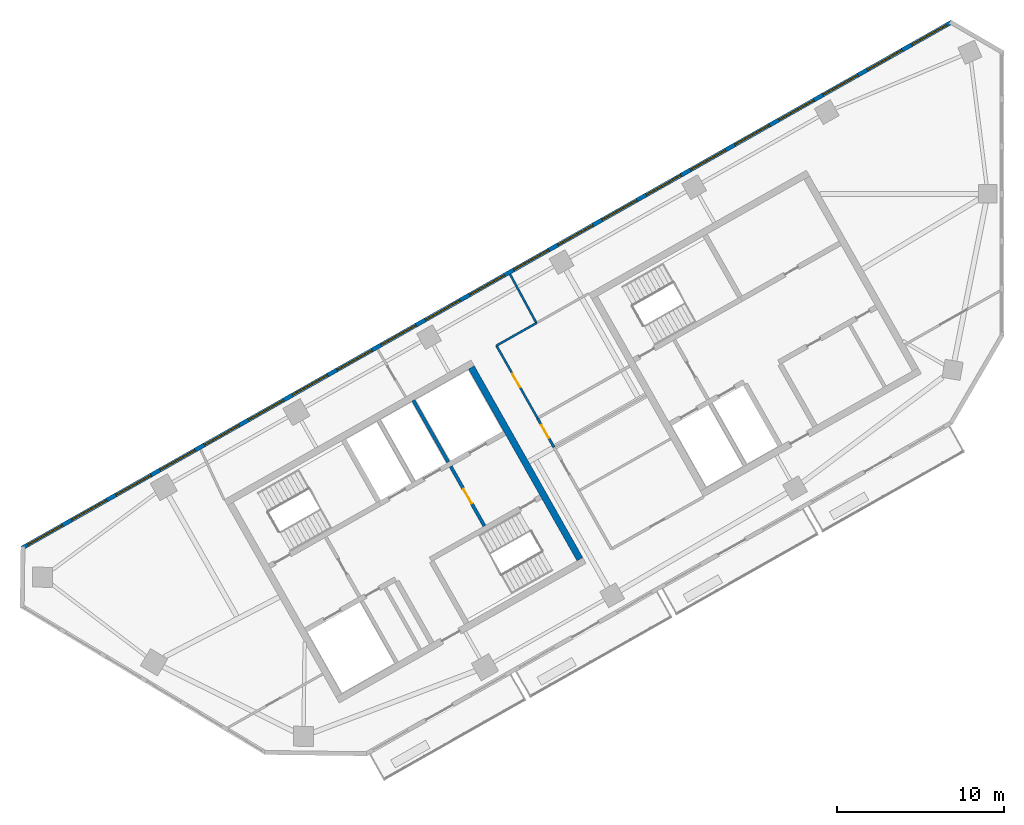
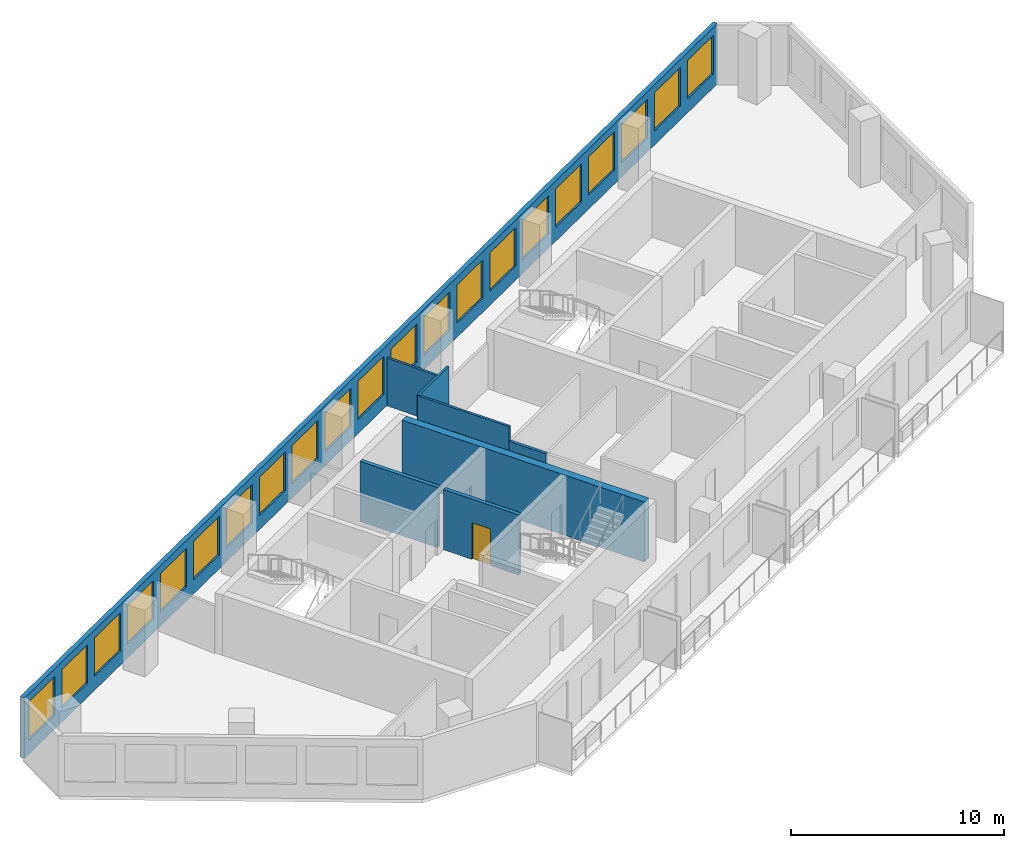
# One storey, part 3 of 7: 21 windows, 8 walls, 3 doors, 24 openings.
"""IFC4 building model written with IfcOpenShell, lengths in metres."""

from ifc_helpers import new_model, si_unit, direction, frame, frame_2d, origin, place, context, subcontext, project, spatial, rectangle, extrude, material, layer, layer_set, type_object, element, fill, save


model = new_model("IFC4")

# Units and contexts
model_context = context("Model", 3, precision=1e-05, world=origin(), true_north=direction((0.0, 1.0)))
body_context = subcontext(model_context, "Body", "Model", "MODEL_VIEW")
ifc_project = project(units=[si_unit("LENGTHUNIT", "METRE"), si_unit("AREAUNIT", "SQUARE_METRE"), si_unit("VOLUMEUNIT", "CUBIC_METRE"), si_unit("PLANEANGLEUNIT", "RADIAN"), si_unit("MASSUNIT", "GRAM", prefix="KILO")], contexts=[model_context])

# Site, building, storey
site_placement = place(None, origin())
site = spatial("IfcSite", under=ifc_project, at=site_placement, CompositionType="ELEMENT")
building_placement = place(site_placement, origin())
building = spatial("IfcBuilding", under=site, at=building_placement, Name="Binnacle Exchange Tower", CompositionType="ELEMENT")
storey_placement = place(building_placement, frame((0.0, 0.0, 281.699951171875)))
storey = spatial("IfcBuildingStorey", under=building, at=storey_placement, Name="L63", CompositionType="ELEMENT", Elevation=281.699951171875)

# Wall
ifc_material_1 = material(Name="Concrete C70/85", Category="concrete")
ifc_layer_1 = layer(ifc_material_1, 0.39990234375)
ifc_layer_set_1 = layer_set([ifc_layer_1], Name="Core wall - outer 400")
wall_type_1 = type_object("IfcWallType", Name="Core wall - outer 400", PredefinedType="SOLIDWALL", material=ifc_layer_set_1)
wall_1_placement = place(storey_placement, frame((-31.78955078125, 49.597412109375, 0.0), z_axis=(0.0, 0.0, 1.0), x_axis=(0.492421663121, -0.870356769198, 0.0)))
element("IfcWall", 1, at=wall_1_placement, inside=storey, type_object=wall_type_1, Name="Core wall CRWA22", PredefinedType="SOLIDWALL", context=body_context, shape_type="SweptSolid", body=[
    extrude(rectangle(XDim=13.199951171875, YDim=0.39990234375, at=frame_2d((6.60009765625, 0.0))), origin(), (0.0, 0.0, 1.0), 3.449951171875),
])

# Wall, openings, windows
ifc_material_2 = material(Name="Bronze aluminium cladding", Category="aluminium")
ifc_layer_2 = layer(ifc_material_2, 0.25)
ifc_layer_set_2 = layer_set([ifc_layer_2], Name="External wall - window wall 250")
wall_type_2 = type_object("IfcWallType", Name="External wall - window wall 250", PredefinedType="STANDARD", material=ifc_layer_set_2)
wall_2_placement = place(storey_placement, frame((-58.732177734375, 38.770751953125, 0.0), z_axis=(0.0, 0.0, 1.0), x_axis=(0.870355615581, 0.492423702137, 0.0)))
wall_2 = element("IfcWall", 2, at=wall_2_placement, inside=storey, type_object=wall_type_2, Name="External wall EW-H03 L63", PredefinedType="STANDARD", context=body_context, shape_type="SweptSolid", body=[
    extrude(rectangle(XDim=64.052490234375, YDim=0.25, at=frame_2d((32.0263671875, 0.0))), origin(), (0.0, 0.0, 1.0), 3.449951171875),
])
opening_1_placement = place(wall_2_placement, frame((61.25927734375, 0.0, 0.800048828125)))
opening_1 = element("IfcOpeningElement", 3, at=opening_1_placement, cuts=wall_2, Name="Opening WR2", PredefinedType="OPENING", context=body_context, shape_type="SweptSolid", body=[
    extrude(rectangle(XDim=2.39990234375, YDim=2.199951171875, at=frame_2d((1.199951171875, 1.10009765625))), frame((0.0, 0.135009765625, 0.0), z_axis=(0.0, -1.0, 0.0), x_axis=(1.0, 0.0, 0.0)), (0.0, 0.0, 1.0), 0.27001953125),
])
opening_2_placement = place(wall_2_placement, frame((58.2158203125, 0.0, 0.800048828125)))
opening_2 = element("IfcOpeningElement", 4, at=opening_2_placement, cuts=wall_2, Name="Opening WR2", PredefinedType="OPENING", context=body_context, shape_type="SweptSolid", body=[
    extrude(rectangle(XDim=2.39990234375, YDim=2.199951171875, at=frame_2d((1.199951171875, 1.10009765625))), frame((0.0, 0.135009765625, 0.0), z_axis=(0.0, -1.0, 0.0), x_axis=(1.0, 0.0, 0.0)), (0.0, 0.0, 1.0), 0.27001953125),
])
opening_3_placement = place(wall_2_placement, frame((55.172607421875, 0.0, 0.800048828125)))
opening_3 = element("IfcOpeningElement", 5, at=opening_3_placement, cuts=wall_2, Name="Opening WR2", PredefinedType="OPENING", context=body_context, shape_type="SweptSolid", body=[
    extrude(rectangle(XDim=2.39990234375, YDim=2.199951171875, at=frame_2d((1.199951171875, 1.10009765625))), frame((0.0, 0.135009765625, 0.0), z_axis=(0.0, -1.0, 0.0), x_axis=(1.0, 0.0, 0.0)), (0.0, 0.0, 1.0), 0.27001953125),
])
opening_4_placement = place(wall_2_placement, frame((52.12939453125, 0.0, 0.800048828125)))
opening_4 = element("IfcOpeningElement", 6, at=opening_4_placement, cuts=wall_2, Name="Opening WR2", PredefinedType="OPENING", context=body_context, shape_type="SweptSolid", body=[
    extrude(rectangle(XDim=2.39990234375, YDim=2.199951171875, at=frame_2d((1.199951171875, 1.10009765625))), frame((0.0, 0.135009765625, 0.0), z_axis=(0.0, -1.0, 0.0), x_axis=(1.0, 0.0, 0.0)), (0.0, 0.0, 1.0), 0.27001953125),
])
opening_5_placement = place(wall_2_placement, frame((49.0859375, 0.0, 0.800048828125)))
opening_5 = element("IfcOpeningElement", 7, at=opening_5_placement, cuts=wall_2, Name="Opening WR2", PredefinedType="OPENING", context=body_context, shape_type="SweptSolid", body=[
    extrude(rectangle(XDim=2.39990234375, YDim=2.199951171875, at=frame_2d((1.199951171875, 1.10009765625))), frame((0.0, 0.135009765625, 0.0), z_axis=(0.0, -1.0, 0.0), x_axis=(1.0, 0.0, 0.0)), (0.0, 0.0, 1.0), 0.27001953125),
])
opening_6_placement = place(wall_2_placement, frame((46.042724609375, 0.0, 0.800048828125)))
opening_6 = element("IfcOpeningElement", 8, at=opening_6_placement, cuts=wall_2, Name="Opening WR2", PredefinedType="OPENING", context=body_context, shape_type="SweptSolid", body=[
    extrude(rectangle(XDim=2.39990234375, YDim=2.199951171875, at=frame_2d((1.199951171875, 1.10009765625))), frame((0.0, 0.135009765625, 0.0), z_axis=(0.0, -1.0, 0.0), x_axis=(1.0, 0.0, 0.0)), (0.0, 0.0, 1.0), 0.27001953125),
])
opening_7_placement = place(wall_2_placement, frame((42.99951171875, 0.0, 0.800048828125)))
opening_7 = element("IfcOpeningElement", 9, at=opening_7_placement, cuts=wall_2, Name="Opening WR2", PredefinedType="OPENING", context=body_context, shape_type="SweptSolid", body=[
    extrude(rectangle(XDim=2.39990234375, YDim=2.199951171875, at=frame_2d((1.199951171875, 1.10009765625))), frame((0.0, 0.135009765625, 0.0), z_axis=(0.0, -1.0, 0.0), x_axis=(1.0, 0.0, 0.0)), (0.0, 0.0, 1.0), 0.27001953125),
])
opening_8_placement = place(wall_2_placement, frame((39.956298828125, 0.0, 0.800048828125)))
opening_8 = element("IfcOpeningElement", 10, at=opening_8_placement, cuts=wall_2, Name="Opening WR2", PredefinedType="OPENING", context=body_context, shape_type="SweptSolid", body=[
    extrude(rectangle(XDim=2.39990234375, YDim=2.199951171875, at=frame_2d((1.199951171875, 1.10009765625))), frame((0.0, 0.135009765625, 0.0), z_axis=(0.0, -1.0, 0.0), x_axis=(1.0, 0.0, 0.0)), (0.0, 0.0, 1.0), 0.27001953125),
])
opening_9_placement = place(wall_2_placement, frame((36.912841796875, 0.0, 0.800048828125)))
opening_9 = element("IfcOpeningElement", 11, at=opening_9_placement, cuts=wall_2, Name="Opening WR2", PredefinedType="OPENING", context=body_context, shape_type="SweptSolid", body=[
    extrude(rectangle(XDim=2.39990234375, YDim=2.199951171875, at=frame_2d((1.199951171875, 1.10009765625))), frame((0.0, 0.135009765625, 0.0), z_axis=(0.0, -1.0, 0.0), x_axis=(1.0, 0.0, 0.0)), (0.0, 0.0, 1.0), 0.27001953125),
])
opening_10_placement = place(wall_2_placement, frame((33.86962890625, 0.0, 0.800048828125)))
opening_10 = element("IfcOpeningElement", 12, at=opening_10_placement, cuts=wall_2, Name="Opening WR2", PredefinedType="OPENING", context=body_context, shape_type="SweptSolid", body=[
    extrude(rectangle(XDim=2.39990234375, YDim=2.199951171875, at=frame_2d((1.199951171875, 1.10009765625))), frame((0.0, 0.135009765625, 0.0), z_axis=(0.0, -1.0, 0.0), x_axis=(1.0, 0.0, 0.0)), (0.0, 0.0, 1.0), 0.27001953125),
])
opening_11_placement = place(wall_2_placement, frame((30.826416015625, 0.0, 0.800048828125)))
opening_11 = element("IfcOpeningElement", 13, at=opening_11_placement, cuts=wall_2, Name="Opening WR2", PredefinedType="OPENING", context=body_context, shape_type="SweptSolid", body=[
    extrude(rectangle(XDim=2.39990234375, YDim=2.199951171875, at=frame_2d((1.199951171875, 1.10009765625))), frame((0.0, 0.135009765625, 0.0), z_axis=(0.0, -1.0, 0.0), x_axis=(1.0, 0.0, 0.0)), (0.0, 0.0, 1.0), 0.27001953125),
])
opening_12_placement = place(wall_2_placement, frame((27.782958984375, 0.0, 0.800048828125)))
opening_12 = element("IfcOpeningElement", 14, at=opening_12_placement, cuts=wall_2, Name="Opening WR2", PredefinedType="OPENING", context=body_context, shape_type="SweptSolid", body=[
    extrude(rectangle(XDim=2.39990234375, YDim=2.199951171875, at=frame_2d((1.199951171875, 1.10009765625))), frame((0.0, 0.135009765625, 0.0), z_axis=(0.0, -1.0, 0.0), x_axis=(1.0, 0.0, 0.0)), (0.0, 0.0, 1.0), 0.27001953125),
])
opening_13_placement = place(wall_2_placement, frame((24.73974609375, 0.0, 0.800048828125)))
opening_13 = element("IfcOpeningElement", 15, at=opening_13_placement, cuts=wall_2, Name="Opening WR2", PredefinedType="OPENING", context=body_context, shape_type="SweptSolid", body=[
    extrude(rectangle(XDim=2.39990234375, YDim=2.199951171875, at=frame_2d((1.199951171875, 1.10009765625))), frame((0.0, 0.135009765625, 0.0), z_axis=(0.0, -1.0, 0.0), x_axis=(1.0, 0.0, 0.0)), (0.0, 0.0, 1.0), 0.27001953125),
])
opening_14_placement = place(wall_2_placement, frame((21.6962890625, 0.0, 0.800048828125)))
opening_14 = element("IfcOpeningElement", 16, at=opening_14_placement, cuts=wall_2, Name="Opening WR2", PredefinedType="OPENING", context=body_context, shape_type="SweptSolid", body=[
    extrude(rectangle(XDim=2.39990234375, YDim=2.199951171875, at=frame_2d((1.199951171875, 1.10009765625))), frame((0.0, 0.135009765625, 0.0), z_axis=(0.0, -1.0, 0.0), x_axis=(1.0, 0.0, 0.0)), (0.0, 0.0, 1.0), 0.27001953125),
])
opening_15_placement = place(wall_2_placement, frame((18.6533203125, 0.0, 0.800048828125)))
opening_15 = element("IfcOpeningElement", 17, at=opening_15_placement, cuts=wall_2, Name="Opening WR2", PredefinedType="OPENING", context=body_context, shape_type="SweptSolid", body=[
    extrude(rectangle(XDim=2.39990234375, YDim=2.199951171875, at=frame_2d((1.199951171875, 1.10009765625))), frame((0.0, 0.135009765625, 0.0), z_axis=(0.0, -1.0, 0.0), x_axis=(1.0, 0.0, 0.0)), (0.0, 0.0, 1.0), 0.27001953125),
])
opening_16_placement = place(wall_2_placement, frame((15.60986328125, 0.0, 0.800048828125)))
opening_16 = element("IfcOpeningElement", 18, at=opening_16_placement, cuts=wall_2, Name="Opening WR2", PredefinedType="OPENING", context=body_context, shape_type="SweptSolid", body=[
    extrude(rectangle(XDim=2.39990234375, YDim=2.199951171875, at=frame_2d((1.199951171875, 1.10009765625))), frame((0.0, 0.135009765625, 0.0), z_axis=(0.0, -1.0, 0.0), x_axis=(1.0, 0.0, 0.0)), (0.0, 0.0, 1.0), 0.27001953125),
])
opening_17_placement = place(wall_2_placement, frame((12.566650390625, 0.0, 0.800048828125)))
opening_17 = element("IfcOpeningElement", 19, at=opening_17_placement, cuts=wall_2, Name="Opening WR2", PredefinedType="OPENING", context=body_context, shape_type="SweptSolid", body=[
    extrude(rectangle(XDim=2.39990234375, YDim=2.199951171875, at=frame_2d((1.199951171875, 1.10009765625))), frame((0.0, 0.135009765625, 0.0), z_axis=(0.0, -1.0, 0.0), x_axis=(1.0, 0.0, 0.0)), (0.0, 0.0, 1.0), 0.27001953125),
])
opening_18_placement = place(wall_2_placement, frame((9.523193359375, 0.0, 0.800048828125)))
opening_18 = element("IfcOpeningElement", 20, at=opening_18_placement, cuts=wall_2, Name="Opening WR2", PredefinedType="OPENING", context=body_context, shape_type="SweptSolid", body=[
    extrude(rectangle(XDim=2.39990234375, YDim=2.199951171875, at=frame_2d((1.199951171875, 1.10009765625))), frame((0.0, 0.135009765625, 0.0), z_axis=(0.0, -1.0, 0.0), x_axis=(1.0, 0.0, 0.0)), (0.0, 0.0, 1.0), 0.27001953125),
])
opening_19_placement = place(wall_2_placement, frame((6.47998046875, 0.0, 0.800048828125)))
opening_19 = element("IfcOpeningElement", 21, at=opening_19_placement, cuts=wall_2, Name="Opening WR2", PredefinedType="OPENING", context=body_context, shape_type="SweptSolid", body=[
    extrude(rectangle(XDim=2.39990234375, YDim=2.199951171875, at=frame_2d((1.199951171875, 1.10009765625))), frame((0.0, 0.135009765625, 0.0), z_axis=(0.0, -1.0, 0.0), x_axis=(1.0, 0.0, 0.0)), (0.0, 0.0, 1.0), 0.27001953125),
])
opening_20_placement = place(wall_2_placement, frame((3.436767578125, 0.0, 0.800048828125)))
opening_20 = element("IfcOpeningElement", 22, at=opening_20_placement, cuts=wall_2, Name="Opening WR2", PredefinedType="OPENING", context=body_context, shape_type="SweptSolid", body=[
    extrude(rectangle(XDim=2.39990234375, YDim=2.199951171875, at=frame_2d((1.199951171875, 1.10009765625))), frame((0.0, 0.135009765625, 0.0), z_axis=(0.0, -1.0, 0.0), x_axis=(1.0, 0.0, 0.0)), (0.0, 0.0, 1.0), 0.27001953125),
])
opening_21_placement = place(wall_2_placement, frame((0.393310546875, 0.0, 0.800048828125)))
opening_21 = element("IfcOpeningElement", 23, at=opening_21_placement, cuts=wall_2, Name="Opening WR2", PredefinedType="OPENING", context=body_context, shape_type="SweptSolid", body=[
    extrude(rectangle(XDim=2.39990234375, YDim=2.199951171875, at=frame_2d((1.199951171875, 1.10009765625))), frame((0.0, 0.135009765625, 0.0), z_axis=(0.0, -1.0, 0.0), x_axis=(1.0, 0.0, 0.0)), (0.0, 0.0, 1.0), 0.27001953125),
])
ifc_material_3 = material(Name="Bronze anodised aluminium frame", Category="aluminium")
window_type = type_object("IfcWindowType", Name="WR2 WINDOW 2400x2200", PartitioningType="SINGLE_PANEL", PredefinedType="WINDOW", material=ifc_material_3)
window_1_placement = place(opening_1_placement, origin())
window_1 = element("IfcWindow", 24, at=window_1_placement, inside=storey, type_object=window_type, Name="Window WR2 L63", OverallHeight=2.199951171875, OverallWidth=2.39990234375, PartitioningType="SINGLE_PANEL", PredefinedType="WINDOW", context=body_context, shape_type="SweptSolid", body=[
    extrude(rectangle(XDim=2.39990234375, YDim=2.199951171875, at=frame_2d((1.199951171875, 1.10009765625))), frame((0.0, 0.030029296875, 0.0), z_axis=(0.0, -1.0, 0.0), x_axis=(1.0, 0.0, 0.0)), (0.0, 0.0, 1.0), 0.06005859375),
])
fill(opening_1, window_1)
window_2_placement = place(opening_2_placement, origin())
window_2 = element("IfcWindow", 25, at=window_2_placement, inside=storey, type_object=window_type, Name="Window WR2 L63", OverallHeight=2.199951171875, OverallWidth=2.39990234375, PartitioningType="SINGLE_PANEL", PredefinedType="WINDOW", context=body_context, shape_type="SweptSolid", body=[
    extrude(rectangle(XDim=2.39990234375, YDim=2.199951171875, at=frame_2d((1.199951171875, 1.10009765625))), frame((0.0, 0.030029296875, 0.0), z_axis=(0.0, -1.0, 0.0), x_axis=(1.0, 0.0, 0.0)), (0.0, 0.0, 1.0), 0.06005859375),
])
fill(opening_2, window_2)
window_3_placement = place(opening_3_placement, origin())
window_3 = element("IfcWindow", 26, at=window_3_placement, inside=storey, type_object=window_type, Name="Window WR2 L63", OverallHeight=2.199951171875, OverallWidth=2.39990234375, PartitioningType="SINGLE_PANEL", PredefinedType="WINDOW", context=body_context, shape_type="SweptSolid", body=[
    extrude(rectangle(XDim=2.39990234375, YDim=2.199951171875, at=frame_2d((1.199951171875, 1.10009765625))), frame((0.0, 0.030029296875, 0.0), z_axis=(0.0, -1.0, 0.0), x_axis=(1.0, 0.0, 0.0)), (0.0, 0.0, 1.0), 0.06005859375),
])
fill(opening_3, window_3)
window_4_placement = place(opening_4_placement, origin())
window_4 = element("IfcWindow", 27, at=window_4_placement, inside=storey, type_object=window_type, Name="Window WR2 L63", OverallHeight=2.199951171875, OverallWidth=2.39990234375, PartitioningType="SINGLE_PANEL", PredefinedType="WINDOW", context=body_context, shape_type="SweptSolid", body=[
    extrude(rectangle(XDim=2.39990234375, YDim=2.199951171875, at=frame_2d((1.199951171875, 1.10009765625))), frame((0.0, 0.030029296875, 0.0), z_axis=(0.0, -1.0, 0.0), x_axis=(1.0, 0.0, 0.0)), (0.0, 0.0, 1.0), 0.06005859375),
])
fill(opening_4, window_4)
window_5_placement = place(opening_5_placement, origin())
window_5 = element("IfcWindow", 28, at=window_5_placement, inside=storey, type_object=window_type, Name="Window WR2 L63", OverallHeight=2.199951171875, OverallWidth=2.39990234375, PartitioningType="SINGLE_PANEL", PredefinedType="WINDOW", context=body_context, shape_type="SweptSolid", body=[
    extrude(rectangle(XDim=2.39990234375, YDim=2.199951171875, at=frame_2d((1.199951171875, 1.10009765625))), frame((0.0, 0.030029296875, 0.0), z_axis=(0.0, -1.0, 0.0), x_axis=(1.0, 0.0, 0.0)), (0.0, 0.0, 1.0), 0.06005859375),
])
fill(opening_5, window_5)
window_6_placement = place(opening_6_placement, origin())
window_6 = element("IfcWindow", 29, at=window_6_placement, inside=storey, type_object=window_type, Name="Window WR2 L63", OverallHeight=2.199951171875, OverallWidth=2.39990234375, PartitioningType="SINGLE_PANEL", PredefinedType="WINDOW", context=body_context, shape_type="SweptSolid", body=[
    extrude(rectangle(XDim=2.39990234375, YDim=2.199951171875, at=frame_2d((1.199951171875, 1.10009765625))), frame((0.0, 0.030029296875, 0.0), z_axis=(0.0, -1.0, 0.0), x_axis=(1.0, 0.0, 0.0)), (0.0, 0.0, 1.0), 0.06005859375),
])
fill(opening_6, window_6)
window_7_placement = place(opening_7_placement, origin())
window_7 = element("IfcWindow", 30, at=window_7_placement, inside=storey, type_object=window_type, Name="Window WR2 L63", OverallHeight=2.199951171875, OverallWidth=2.39990234375, PartitioningType="SINGLE_PANEL", PredefinedType="WINDOW", context=body_context, shape_type="SweptSolid", body=[
    extrude(rectangle(XDim=2.39990234375, YDim=2.199951171875, at=frame_2d((1.199951171875, 1.10009765625))), frame((0.0, 0.030029296875, 0.0), z_axis=(0.0, -1.0, 0.0), x_axis=(1.0, 0.0, 0.0)), (0.0, 0.0, 1.0), 0.06005859375),
])
fill(opening_7, window_7)
window_8_placement = place(opening_8_placement, origin())
window_8 = element("IfcWindow", 31, at=window_8_placement, inside=storey, type_object=window_type, Name="Window WR2 L63", OverallHeight=2.199951171875, OverallWidth=2.39990234375, PartitioningType="SINGLE_PANEL", PredefinedType="WINDOW", context=body_context, shape_type="SweptSolid", body=[
    extrude(rectangle(XDim=2.39990234375, YDim=2.199951171875, at=frame_2d((1.199951171875, 1.10009765625))), frame((0.0, 0.030029296875, 0.0), z_axis=(0.0, -1.0, 0.0), x_axis=(1.0, 0.0, 0.0)), (0.0, 0.0, 1.0), 0.06005859375),
])
fill(opening_8, window_8)
window_9_placement = place(opening_9_placement, origin())
window_9 = element("IfcWindow", 32, at=window_9_placement, inside=storey, type_object=window_type, Name="Window WR2 L63", OverallHeight=2.199951171875, OverallWidth=2.39990234375, PartitioningType="SINGLE_PANEL", PredefinedType="WINDOW", context=body_context, shape_type="SweptSolid", body=[
    extrude(rectangle(XDim=2.39990234375, YDim=2.199951171875, at=frame_2d((1.199951171875, 1.10009765625))), frame((0.0, 0.030029296875, 0.0), z_axis=(0.0, -1.0, 0.0), x_axis=(1.0, 0.0, 0.0)), (0.0, 0.0, 1.0), 0.06005859375),
])
fill(opening_9, window_9)
window_10_placement = place(opening_10_placement, origin())
window_10 = element("IfcWindow", 33, at=window_10_placement, inside=storey, type_object=window_type, Name="Window WR2 L63", OverallHeight=2.199951171875, OverallWidth=2.39990234375, PartitioningType="SINGLE_PANEL", PredefinedType="WINDOW", context=body_context, shape_type="SweptSolid", body=[
    extrude(rectangle(XDim=2.39990234375, YDim=2.199951171875, at=frame_2d((1.199951171875, 1.10009765625))), frame((0.0, 0.030029296875, 0.0), z_axis=(0.0, -1.0, 0.0), x_axis=(1.0, 0.0, 0.0)), (0.0, 0.0, 1.0), 0.06005859375),
])
fill(opening_10, window_10)
window_11_placement = place(opening_11_placement, origin())
window_11 = element("IfcWindow", 34, at=window_11_placement, inside=storey, type_object=window_type, Name="Window WR2 L63", OverallHeight=2.199951171875, OverallWidth=2.39990234375, PartitioningType="SINGLE_PANEL", PredefinedType="WINDOW", context=body_context, shape_type="SweptSolid", body=[
    extrude(rectangle(XDim=2.39990234375, YDim=2.199951171875, at=frame_2d((1.199951171875, 1.10009765625))), frame((0.0, 0.030029296875, 0.0), z_axis=(0.0, -1.0, 0.0), x_axis=(1.0, 0.0, 0.0)), (0.0, 0.0, 1.0), 0.06005859375),
])
fill(opening_11, window_11)
window_12_placement = place(opening_12_placement, origin())
window_12 = element("IfcWindow", 35, at=window_12_placement, inside=storey, type_object=window_type, Name="Window WR2 L63", OverallHeight=2.199951171875, OverallWidth=2.39990234375, PartitioningType="SINGLE_PANEL", PredefinedType="WINDOW", context=body_context, shape_type="SweptSolid", body=[
    extrude(rectangle(XDim=2.39990234375, YDim=2.199951171875, at=frame_2d((1.199951171875, 1.10009765625))), frame((0.0, 0.030029296875, 0.0), z_axis=(0.0, -1.0, 0.0), x_axis=(1.0, 0.0, 0.0)), (0.0, 0.0, 1.0), 0.06005859375),
])
fill(opening_12, window_12)
window_13_placement = place(opening_13_placement, origin())
window_13 = element("IfcWindow", 36, at=window_13_placement, inside=storey, type_object=window_type, Name="Window WR2 L63", OverallHeight=2.199951171875, OverallWidth=2.39990234375, PartitioningType="SINGLE_PANEL", PredefinedType="WINDOW", context=body_context, shape_type="SweptSolid", body=[
    extrude(rectangle(XDim=2.39990234375, YDim=2.199951171875, at=frame_2d((1.199951171875, 1.10009765625))), frame((0.0, 0.030029296875, 0.0), z_axis=(0.0, -1.0, 0.0), x_axis=(1.0, 0.0, 0.0)), (0.0, 0.0, 1.0), 0.06005859375),
])
fill(opening_13, window_13)
window_14_placement = place(opening_14_placement, origin())
window_14 = element("IfcWindow", 37, at=window_14_placement, inside=storey, type_object=window_type, Name="Window WR2 L63", OverallHeight=2.199951171875, OverallWidth=2.39990234375, PartitioningType="SINGLE_PANEL", PredefinedType="WINDOW", context=body_context, shape_type="SweptSolid", body=[
    extrude(rectangle(XDim=2.39990234375, YDim=2.199951171875, at=frame_2d((1.199951171875, 1.10009765625))), frame((0.0, 0.030029296875, 0.0), z_axis=(0.0, -1.0, 0.0), x_axis=(1.0, 0.0, 0.0)), (0.0, 0.0, 1.0), 0.06005859375),
])
fill(opening_14, window_14)
window_15_placement = place(opening_15_placement, origin())
window_15 = element("IfcWindow", 38, at=window_15_placement, inside=storey, type_object=window_type, Name="Window WR2 L63", OverallHeight=2.199951171875, OverallWidth=2.39990234375, PartitioningType="SINGLE_PANEL", PredefinedType="WINDOW", context=body_context, shape_type="SweptSolid", body=[
    extrude(rectangle(XDim=2.39990234375, YDim=2.199951171875, at=frame_2d((1.199951171875, 1.10009765625))), frame((0.0, 0.030029296875, 0.0), z_axis=(0.0, -1.0, 0.0), x_axis=(1.0, 0.0, 0.0)), (0.0, 0.0, 1.0), 0.06005859375),
])
fill(opening_15, window_15)
window_16_placement = place(opening_16_placement, origin())
window_16 = element("IfcWindow", 39, at=window_16_placement, inside=storey, type_object=window_type, Name="Window WR2 L63", OverallHeight=2.199951171875, OverallWidth=2.39990234375, PartitioningType="SINGLE_PANEL", PredefinedType="WINDOW", context=body_context, shape_type="SweptSolid", body=[
    extrude(rectangle(XDim=2.39990234375, YDim=2.199951171875, at=frame_2d((1.199951171875, 1.10009765625))), frame((0.0, 0.030029296875, 0.0), z_axis=(0.0, -1.0, 0.0), x_axis=(1.0, 0.0, 0.0)), (0.0, 0.0, 1.0), 0.06005859375),
])
fill(opening_16, window_16)
window_17_placement = place(opening_17_placement, origin())
window_17 = element("IfcWindow", 40, at=window_17_placement, inside=storey, type_object=window_type, Name="Window WR2 L63", OverallHeight=2.199951171875, OverallWidth=2.39990234375, PartitioningType="SINGLE_PANEL", PredefinedType="WINDOW", context=body_context, shape_type="SweptSolid", body=[
    extrude(rectangle(XDim=2.39990234375, YDim=2.199951171875, at=frame_2d((1.199951171875, 1.10009765625))), frame((0.0, 0.030029296875, 0.0), z_axis=(0.0, -1.0, 0.0), x_axis=(1.0, 0.0, 0.0)), (0.0, 0.0, 1.0), 0.06005859375),
])
fill(opening_17, window_17)
window_18_placement = place(opening_18_placement, origin())
window_18 = element("IfcWindow", 41, at=window_18_placement, inside=storey, type_object=window_type, Name="Window WR2 L63", OverallHeight=2.199951171875, OverallWidth=2.39990234375, PartitioningType="SINGLE_PANEL", PredefinedType="WINDOW", context=body_context, shape_type="SweptSolid", body=[
    extrude(rectangle(XDim=2.39990234375, YDim=2.199951171875, at=frame_2d((1.199951171875, 1.10009765625))), frame((0.0, 0.030029296875, 0.0), z_axis=(0.0, -1.0, 0.0), x_axis=(1.0, 0.0, 0.0)), (0.0, 0.0, 1.0), 0.06005859375),
])
fill(opening_18, window_18)
window_19_placement = place(opening_19_placement, origin())
window_19 = element("IfcWindow", 42, at=window_19_placement, inside=storey, type_object=window_type, Name="Window WR2 L63", OverallHeight=2.199951171875, OverallWidth=2.39990234375, PartitioningType="SINGLE_PANEL", PredefinedType="WINDOW", context=body_context, shape_type="SweptSolid", body=[
    extrude(rectangle(XDim=2.39990234375, YDim=2.199951171875, at=frame_2d((1.199951171875, 1.10009765625))), frame((0.0, 0.030029296875, 0.0), z_axis=(0.0, -1.0, 0.0), x_axis=(1.0, 0.0, 0.0)), (0.0, 0.0, 1.0), 0.06005859375),
])
fill(opening_19, window_19)
window_20_placement = place(opening_20_placement, origin())
window_20 = element("IfcWindow", 43, at=window_20_placement, inside=storey, type_object=window_type, Name="Window WR2 L63", OverallHeight=2.199951171875, OverallWidth=2.39990234375, PartitioningType="SINGLE_PANEL", PredefinedType="WINDOW", context=body_context, shape_type="SweptSolid", body=[
    extrude(rectangle(XDim=2.39990234375, YDim=2.199951171875, at=frame_2d((1.199951171875, 1.10009765625))), frame((0.0, 0.030029296875, 0.0), z_axis=(0.0, -1.0, 0.0), x_axis=(1.0, 0.0, 0.0)), (0.0, 0.0, 1.0), 0.06005859375),
])
fill(opening_20, window_20)
window_21_placement = place(opening_21_placement, origin())
window_21 = element("IfcWindow", 44, at=window_21_placement, inside=storey, type_object=window_type, Name="Window WR2 L63", OverallHeight=2.199951171875, OverallWidth=2.39990234375, PartitioningType="SINGLE_PANEL", PredefinedType="WINDOW", context=body_context, shape_type="SweptSolid", body=[
    extrude(rectangle(XDim=2.39990234375, YDim=2.199951171875, at=frame_2d((1.199951171875, 1.10009765625))), frame((0.0, 0.030029296875, 0.0), z_axis=(0.0, -1.0, 0.0), x_axis=(1.0, 0.0, 0.0)), (0.0, 0.0, 1.0), 0.06005859375),
])
fill(opening_21, window_21)

# Wall, opening, door
ifc_material_4 = material(Name="Masonry block wall", Category="masonry")
ifc_layer_3 = layer(ifc_material_4, 0.199951171875)
ifc_layer_set_3 = layer_set([ifc_layer_3], Name="Fire wall - vestibule 200")
wall_type_3 = type_object("IfcWallType", Name="Fire wall - vestibule 200", PredefinedType="PARTITIONING", material=ifc_layer_set_3)
wall_3_placement = place(storey_placement, frame((-33.030517578125, 43.66748046875, 0.0), z_axis=(0.0, 0.0, 1.0), x_axis=(0.492408451753, -0.87036424366, 0.0)))
wall_3 = element("IfcWall", 45, at=wall_3_placement, inside=storey, type_object=wall_type_3, Name="Core wall CRWA19", PredefinedType="PARTITIONING", context=body_context, shape_type="SweptSolid", body=[
    extrude(rectangle(XDim=4.099853515625, YDim=0.199951171875, at=frame_2d((2.0498046875, 0.0))), origin(), (0.0, 0.0, 1.0), 3.449951171875),
])
opening_22_placement = place(wall_3_placement, frame((1.550048828125, 0.0, 0.0)))
opening_22 = element("IfcOpeningElement", 46, at=opening_22_placement, cuts=wall_3, Name="Opening DA4", PredefinedType="OPENING", context=body_context, shape_type="SweptSolid", body=[
    extrude(rectangle(XDim=1.0, YDim=2.10009765625, at=frame_2d((0.5, 1.050048828125))), frame((0.0, 0.10986328125, 0.0), z_axis=(0.0, -1.0, 0.0), x_axis=(1.0, 0.0, 0.0)), (0.0, 0.0, 1.0), 0.219970703125),
])
ifc_material_5 = material(Name="Steel door leaf", Category="steel")
door_type_1 = type_object("IfcDoorType", Name="Fire door 1000", OperationType="NOTDEFINED", PredefinedType="DOOR", material=ifc_material_5)
door_1_placement = place(opening_22_placement, origin())
door_1 = element("IfcDoor", 47, at=door_1_placement, inside=storey, type_object=door_type_1, Name="Vestibule door VEST-E", OperationType="SINGLE_SWING_RIGHT", OverallHeight=2.10009765625, OverallWidth=1.0, PredefinedType="DOOR", context=body_context, shape_type="SweptSolid", body=[
    extrude(rectangle(XDim=1.0, YDim=2.10009765625, at=frame_2d((0.5, 1.050048828125))), frame((0.0, 0.02490234375, 0.0), z_axis=(0.0, -1.0, 0.0), x_axis=(1.0, 0.0, 0.0)), (0.0, 0.0, 1.0), 0.050048828125),
])
fill(opening_22, door_1)

ifc_material_6 = material(Name="Gypsum partition fire rated")
ifc_layer_4 = layer(ifc_material_6, 0.14990234375)
ifc_layer_set_4 = layer_set([ifc_layer_4], Name="Fire-rated partition 150")
wall_type_4 = type_object("IfcWallType", Name="Fire-rated partition 150", PredefinedType="PARTITIONING", material=ifc_layer_set_4)
wall_4_placement = place(storey_placement, frame((-27.826904296875, 46.553955078125, 0.0), z_axis=(0.0, 0.0, 1.0), x_axis=(0.492374954878, -0.870383193662, 0.0)))
wall_4 = element("IfcWall", 48, at=wall_4_placement, inside=storey, type_object=wall_type_4, Name="Partition W08", PredefinedType="PARTITIONING", context=body_context, shape_type="SweptSolid", body=[
    extrude(rectangle(XDim=2.000244140625, YDim=0.14990234375, at=frame_2d((1.0, 0.0))), origin(), (0.0, 0.0, 1.0), 2.6220703125),
])
opening_23_placement = place(wall_4_placement, frame((0.449951171875, 0.0, 0.0)))
opening_23 = element("IfcOpeningElement", 49, at=opening_23_placement, cuts=wall_4, Name="Opening DL61-06", PredefinedType="OPENING", context=body_context, shape_type="SweptSolid", body=[
    extrude(rectangle(XDim=0.89990234375, YDim=2.10009765625, at=frame_2d((0.449951171875, 1.050048828125))), frame((0.0, 0.0849609375, 0.0), z_axis=(0.0, -1.0, 0.0), x_axis=(1.0, 0.0, 0.0)), (0.0, 0.0, 1.0), 0.169921875),
])
door_type_2 = type_object("IfcDoorType", Name="Fire door 900", OperationType="NOTDEFINED", PredefinedType="DOOR", material=ifc_material_5)
door_2_placement = place(opening_23_placement, origin())
door_2 = element("IfcDoor", 50, at=door_2_placement, inside=storey, type_object=door_type_2, Name="Door DL61-06", OperationType="SINGLE_SWING_LEFT", OverallHeight=2.10009765625, OverallWidth=0.89990234375, PredefinedType="DOOR", context=body_context, shape_type="SweptSolid", body=[
    extrude(rectangle(XDim=0.89990234375, YDim=2.10009765625, at=frame_2d((0.449951171875, 1.050048828125))), frame((0.0, 0.02490234375, 0.0), z_axis=(0.0, -1.0, 0.0), x_axis=(1.0, 0.0, 0.0)), (0.0, 0.0, 1.0), 0.050048828125),
])
fill(opening_23, door_2)

# Wall
ifc_material_7 = material(Name="Gypsum partition")
ifc_layer_5 = layer(ifc_material_7, 0.125)
ifc_layer_set_5 = layer_set([ifc_layer_5], Name="Partition 125")
wall_type_5 = type_object("IfcWallType", Name="Partition 125", PredefinedType="PARTITIONING", material=ifc_layer_set_5)
wall_5_placement = place(storey_placement, frame((-30.2890625, 50.906005859375, 0.0), z_axis=(0.0, 0.0, 1.0), x_axis=(0.870344460795, 0.492443417626, 0.0)))
element("IfcWall", 51, at=wall_5_placement, inside=storey, type_object=wall_type_5, Name="Partition W04", PredefinedType="PARTITIONING", context=body_context, shape_type="SweptSolid", body=[
    extrude(rectangle(XDim=2.74951171875, YDim=0.125, at=frame_2d((1.374755859375, 0.0))), origin(), (0.0, 0.0, 1.0), 3.449951171875),
])

# Wall, opening, door
wall_6_placement = place(storey_placement, frame((-30.2890625, 50.906005859375, 0.0), z_axis=(0.0, 0.0, 1.0), x_axis=(0.492406341242, -0.870365437678, 0.0)))
wall_6 = element("IfcWall", 52, at=wall_6_placement, inside=storey, type_object=wall_type_5, Name="Partition W05", PredefinedType="PARTITIONING", context=body_context, shape_type="SweptSolid", body=[
    extrude(rectangle(XDim=5.000244140625, YDim=0.125, at=frame_2d((2.5, 0.0))), origin(), (0.0, 0.0, 1.0), 3.449951171875),
])
opening_24_placement = place(wall_6_placement, frame((1.949951171875, 0.0, 0.0)))
opening_24 = element("IfcOpeningElement", 53, at=opening_24_placement, cuts=wall_6, Name="Opening DL61-03", PredefinedType="OPENING", context=body_context, shape_type="SweptSolid", body=[
    extrude(rectangle(XDim=0.89990234375, YDim=2.10009765625, at=frame_2d((0.449951171875, 1.050048828125))), frame((0.0, 0.072509765625, 0.0), z_axis=(0.0, -1.0, 0.0), x_axis=(1.0, 0.0, 0.0)), (0.0, 0.0, 1.0), 0.14501953125),
])
ifc_material_8 = material(Name="Timber door leaf", Category="wood")
door_type_3 = type_object("IfcDoorType", Name="Door 900", OperationType="NOTDEFINED", PredefinedType="DOOR", material=ifc_material_8)
door_3_placement = place(opening_24_placement, origin())
door_3 = element("IfcDoor", 54, at=door_3_placement, inside=storey, type_object=door_type_3, Name="Door DL61-03", OperationType="SINGLE_SWING_LEFT", OverallHeight=2.10009765625, OverallWidth=0.89990234375, PredefinedType="DOOR", context=body_context, shape_type="SweptSolid", body=[
    extrude(rectangle(XDim=0.89990234375, YDim=2.10009765625, at=frame_2d((0.449951171875, 1.050048828125))), frame((0.0, 0.02490234375, 0.0), z_axis=(0.0, -1.0, 0.0), x_axis=(1.0, 0.0, 0.0)), (0.0, 0.0, 1.0), 0.050048828125),
])
fill(opening_24, door_3)

# Walls
wall_7_placement = place(storey_placement, frame((-29.47412109375, 55.180908203125, 0.0), z_axis=(0.0, 0.0, 1.0), x_axis=(0.475344759365, -0.879799613403, 0.0)))
element("IfcWall", 55, at=wall_7_placement, inside=storey, type_object=wall_type_5, Name="Partition W06", PredefinedType="PARTITIONING", context=body_context, shape_type="SweptSolid", body=[
    extrude(rectangle(XDim=3.320068359375, YDim=0.125, at=frame_2d((1.66015625, 0.0))), origin(), (0.0, 0.0, 1.0), 2.72998046875),
])
ifc_layer_6 = layer(ifc_material_4, 0.199951171875)
ifc_layer_set_6 = layer_set([ifc_layer_6], Name="Shaft wall 200")
wall_type_6 = type_object("IfcWallType", Name="Shaft wall 200", PredefinedType="SOLIDWALL", material=ifc_layer_set_6)
wall_8_placement = place(storey_placement, frame((-35.27099609375, 47.627685546875, 0.0), z_axis=(0.0, 0.0, 1.0), x_axis=(0.492422543467, -0.870356271124, 0.0)))
element("IfcWall", 56, at=wall_8_placement, inside=storey, type_object=wall_type_6, Name="Core wall CRWA21", PredefinedType="SOLIDWALL", context=body_context, shape_type="SweptSolid", body=[
    extrude(rectangle(XDim=4.25, YDim=0.199951171875, at=frame_2d((2.125, 0.0))), origin(), (0.0, 0.0, 1.0), 3.449951171875),
])

save(model, "model.ifc")
